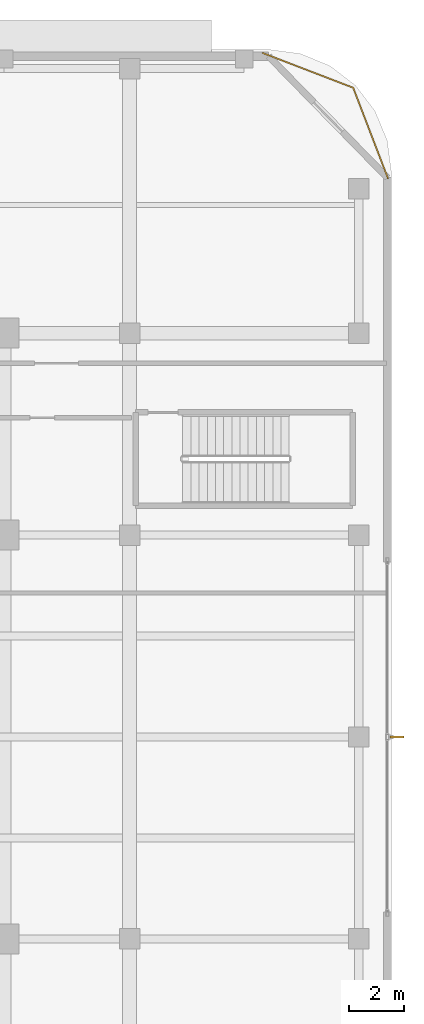
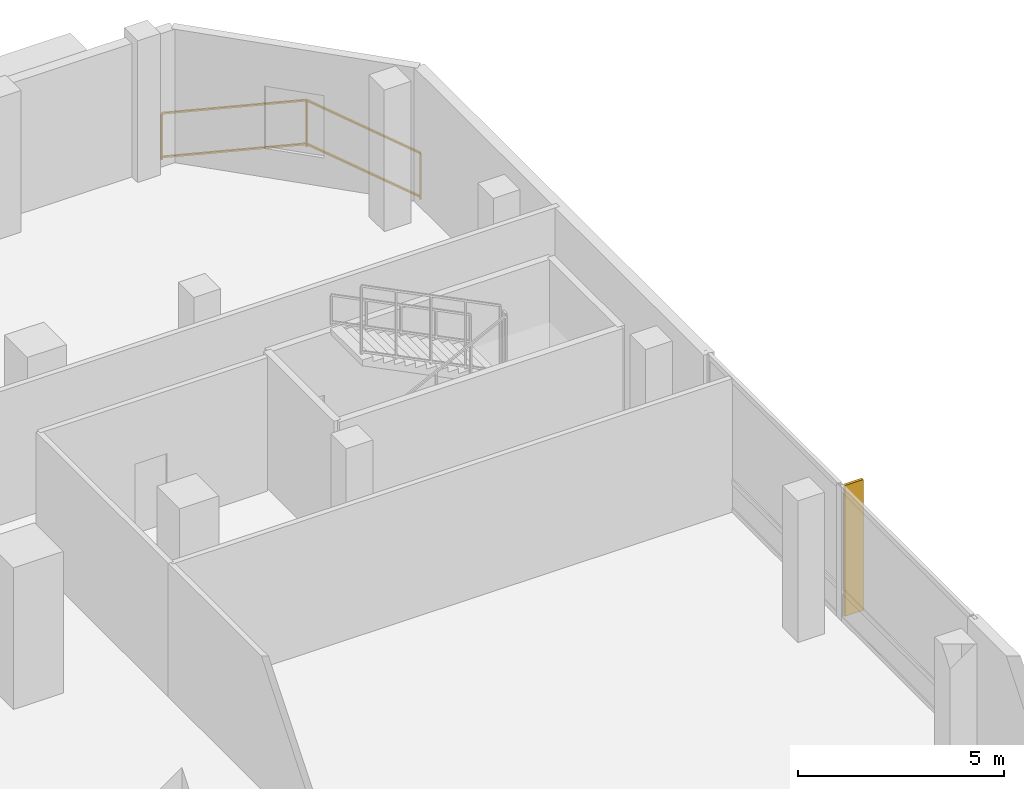
# One storey, part 19 of 19: 1 railing, 1 shading device.
"""IFC4 building model written with IfcOpenShell, lengths in metres."""

from ifc_helpers import new_model, si_unit, direction, frame, origin, origin_2d, place, context, subcontext, project, spatial, rectangle, extrude, material, layer, layer_set, type_object, element, save


model = new_model("IFC4")

# Units and contexts
model_context = context("Model", 3, precision=1e-05, world=origin(), true_north=direction((0.0, 1.0)))
body_context = subcontext(model_context, "Body", "Model", "MODEL_VIEW")
ifc_project = project(units=[si_unit("LENGTHUNIT", "METRE"), si_unit("AREAUNIT", "SQUARE_METRE"), si_unit("VOLUMEUNIT", "CUBIC_METRE"), si_unit("PLANEANGLEUNIT", "RADIAN"), si_unit("MASSUNIT", "GRAM", prefix="KILO")], contexts=[model_context])

# Site, building, storey
site_placement = place(None, origin())
site = spatial("IfcSite", under=ifc_project, at=site_placement, CompositionType="ELEMENT")
building_placement = place(site_placement, origin())
building = spatial("IfcBuilding", under=site, at=building_placement, Name="Khorvyn Point Tower", CompositionType="ELEMENT")
storey_placement = place(building_placement, frame((0.0, 0.0, 13.199951171875)))
storey = spatial("IfcBuildingStorey", under=building, at=storey_placement, Name="L04", CompositionType="ELEMENT", Elevation=13.199951171875)

# Shading device
ifc_material_1 = material(Name="Bronze anodised aluminium 6063-T6", Category="aluminium")
ifc_layer = layer(ifc_material_1, 0.074951171875)
ifc_layer_set = layer_set([ifc_layer], Name="Bronze Anodised Aluminium FIN 520x75")
shading_device_type = type_object("IfcShadingDeviceType", Name="Bronze Anodised Aluminium FIN 520x75", PredefinedType="USERDEFINED", material=ifc_layer_set)
shading_device_placement = place(storey_placement, frame((33.800048828125, 0.0, 0.0400390625), z_axis=(0.0, 0.0, 1.0), x_axis=(1.0, 0.0, 0.0)))
element("IfcShadingDevice", 1, at=shading_device_placement, inside=storey, type_object=shading_device_type, Name="L04 Anodised FIN 01", ObjectType="FIN", PredefinedType="USERDEFINED", context=body_context, shape_type="SweptSolid", body=[
    extrude(rectangle(XDim=0.52001953125, YDim=0.074951171875, at=origin_2d()), origin(), (0.0, 0.0, 1.0), 3.8798828125),
])

# Railing
ifc_material_2 = material(Name="Anodised aluminium 6063-T6 and laminated safety glass", Category="aluminium")
railing_type = type_object("IfcRailingType", Name="Laminated Glass and Aluminium Balcony Guardrail 1400", PredefinedType="BALUSTRADE", material=ifc_material_2)
railing_placement = place(storey_placement, frame((33.47412109375, 20.470703125, 0.0)))
element("IfcRailing", 2, at=railing_placement, inside=storey, type_object=railing_type, Name="L04 Rounded Corner Edge Guardrail NE", PredefinedType="BALUSTRADE", context=body_context, shape_type="SweptSolid", body=[
    extrude(rectangle(XDim=0.048095703125, YDim=0.048095703125, at=origin_2d()), frame((0.0, 0.0, 1.3759765625), z_axis=(-0.35841886047, 0.933560882031, 0.0), x_axis=(-0.933560882031, -0.35841886047, 0.0)), (0.0, 0.0, 1.0), 3.563232421875),
    extrude(rectangle(XDim=0.048095703125, YDim=0.048095703125, at=origin_2d()), frame((0.0, 0.0, 0.080078125), z_axis=(-0.35841886047, 0.933560882031, 0.0), x_axis=(-0.933560882031, -0.35841886047, 0.0)), (0.0, 0.0, 1.0), 3.563232421875),
    extrude(rectangle(XDim=0.048095703125, YDim=0.048095703125, at=origin_2d()), frame((-1.277099609375, 3.326416015625, 1.3759765625), z_axis=(-0.933575007025, 0.358382067435, 0.0), x_axis=(-0.358382067435, -0.933575007025, 0.0)), (0.0, 0.0, 1.0), 3.562744140625),
    extrude(rectangle(XDim=0.048095703125, YDim=0.048095703125, at=origin_2d()), frame((-1.277099609375, 3.326416015625, 0.080078125), z_axis=(-0.933575007025, 0.358382067435, 0.0), x_axis=(-0.358382067435, -0.933575007025, 0.0)), (0.0, 0.0, 1.0), 3.562744140625),
    extrude(rectangle(XDim=0.0419921875, YDim=0.0419921875, at=origin_2d()), origin(), (0.0, 0.0, 1.0), 1.351806640625),
    extrude(rectangle(XDim=0.0419921875, YDim=0.0419921875, at=origin_2d()), frame((-1.277099609375, 3.326416015625, 0.0)), (0.0, 0.0, 1.0), 1.351806640625),
    extrude(rectangle(XDim=0.0419921875, YDim=0.0419921875, at=origin_2d()), frame((-4.603271484375, 4.603271484375, 0.0)), (0.0, 0.0, 1.0), 1.351806640625),
])

save(model, "model.ifc")
